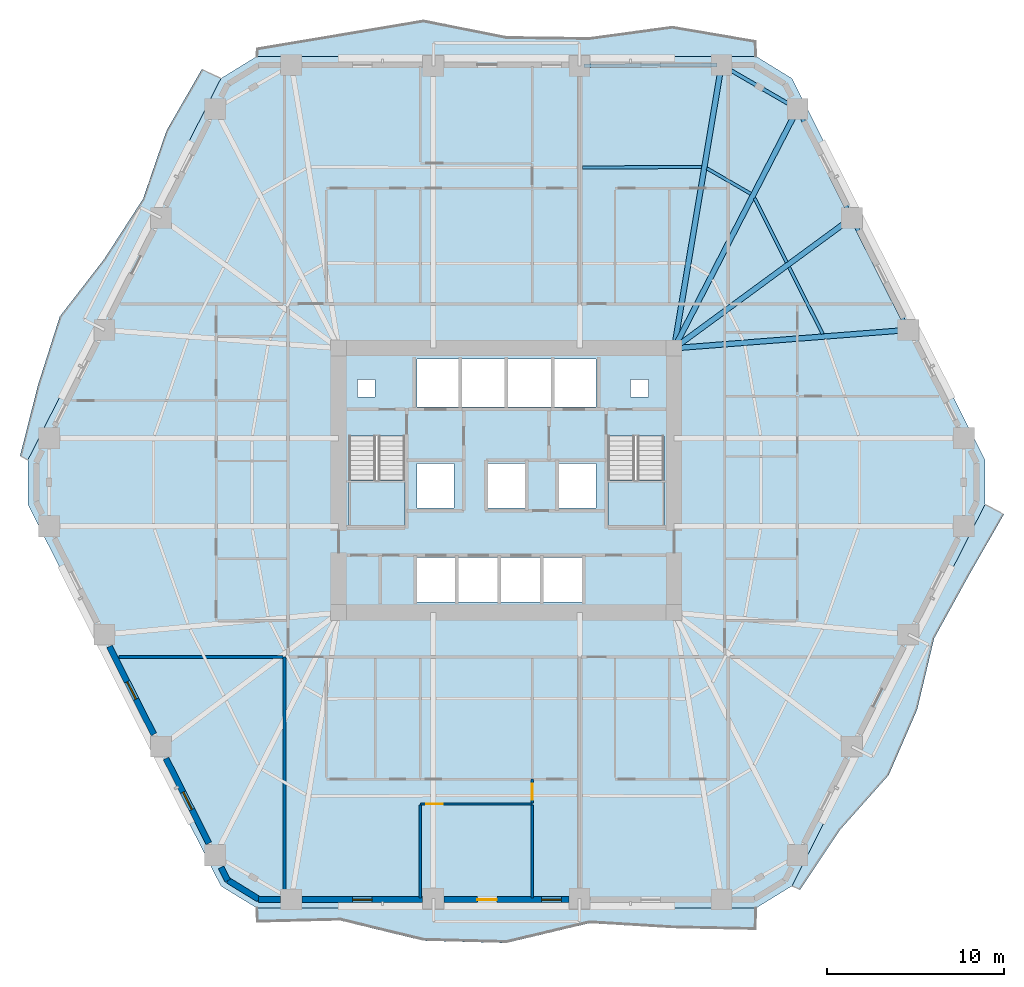
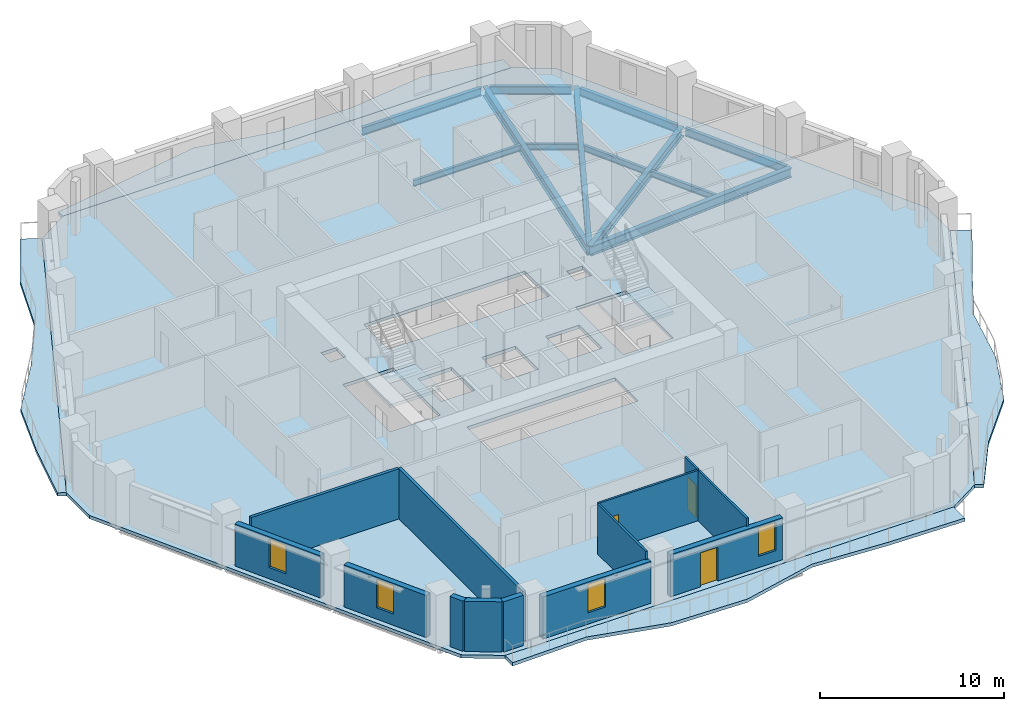
# One storey, part 3 of 14: 13 walls, 12 beams, 7 slabs, 4 windows, 3 doors, 7 openings, 2 elements without a shape of their own.
"""IFC4 building model written with IfcOpenShell, lengths in metres."""

from ifc_helpers import new_model, si_unit, direction, frame, frame_2d, origin, origin_2d, place, context, subcontext, project, spatial, polyline, rectangle, i_section, outline, extrude, material, layer, layer_set, material_profile, profile_set, type_object, element, fill, aggregate, save


model = new_model("IFC4")

# Units and contexts
model_context = context("Model", 3, precision=1e-05, world=origin(), true_north=direction((0.0, 1.0)))
body_context = subcontext(model_context, "Body", "Model", "MODEL_VIEW")
ifc_project = project(units=[si_unit("LENGTHUNIT", "METRE"), si_unit("AREAUNIT", "SQUARE_METRE"), si_unit("VOLUMEUNIT", "CUBIC_METRE"), si_unit("PLANEANGLEUNIT", "RADIAN"), si_unit("MASSUNIT", "GRAM", prefix="KILO")], contexts=[model_context])

# Site, building, storey
site_placement = place(None, origin())
site = spatial("IfcSite", under=ifc_project, at=site_placement, CompositionType="ELEMENT")
building_placement = place(site_placement, origin())
building = spatial("IfcBuilding", under=site, at=building_placement, Name="Cinnabar Lancet Tower", CompositionType="ELEMENT")
storey_placement = place(building_placement, frame((0.0, 0.0, 53.300048828125)))
storey = spatial("IfcBuildingStorey", under=building, at=storey_placement, Name="L13", CompositionType="ELEMENT", Elevation=53.300048828125)

# Beams
ifc_material_1 = material(Name="Structural steel S355", Category="steel")
ifc_material_profile_1 = material_profile(ifc_material_1, i_section(OverallWidth=0.177978515625, OverallDepth=0.406494140625, WebThickness=0.0078125, FlangeThickness=0.0126953125, FilletRadius=0.01025390625, at=origin_2d()), Name="UKB 406x178x60")
ifc_profile_set_1 = profile_set([ifc_material_profile_1], Name="Structural steel S355")
beam_type_1 = type_object("IfcBeamType", Name="STR-BM-JST-406", PredefinedType="JOIST", material=ifc_profile_set_1)
beam_1_placement = place(storey_placement, frame((50.220947265625, 34.156982421875, -0.423095703125), z_axis=(-0.450834254961, 0.89260768233, 0.0), x_axis=(-0.89260768233, -0.450834254961, 0.0)))
element("IfcBeam", 1, at=beam_1_placement, inside=storey, type_object=beam_type_1, Name="L13 Secondary Floor Joist 27", PredefinedType="JOIST", context=body_context, shape_type="SweptSolid", body=[
    extrude(i_section(OverallWidth=0.177978515625, OverallDepth=0.406494140625, WebThickness=0.0078125, FlangeThickness=0.0126953125, FilletRadius=0.01025390625, at=origin_2d()), origin(), (0.0, 0.0, 1.0), 4.203369140625),
])
beam_2_placement = place(storey_placement, frame((48.18603515625, 38.18798828125, -0.423095703125), z_axis=(-0.445738672706, 0.895163133543, 0.0), x_axis=(-0.895163133543, -0.445738672706, 0.0)))
element("IfcBeam", 2, at=beam_2_placement, inside=storey, type_object=beam_type_1, Name="L13 Secondary Floor Joist 29", PredefinedType="JOIST", context=body_context, shape_type="SweptSolid", body=[
    extrude(i_section(OverallWidth=0.177978515625, OverallDepth=0.406494140625, WebThickness=0.0078125, FlangeThickness=0.0126953125, FilletRadius=0.01025390625, at=origin_2d()), origin(), (0.0, 0.0, 1.0), 4.04052734375),
])
beam_3_placement = place(storey_placement, frame((46.1669921875, 42.052001953125, -0.423095703125), z_axis=(-0.865113631149, 0.50157592167, 0.0), x_axis=(-0.50157592167, -0.865113631149, 0.0)))
element("IfcBeam", 3, at=beam_3_placement, inside=storey, type_object=beam_type_1, Name="L13 Secondary Floor Joist 31", PredefinedType="JOIST", context=body_context, shape_type="SweptSolid", body=[
    extrude(i_section(OverallWidth=0.177978515625, OverallDepth=0.406494140625, WebThickness=0.0078125, FlangeThickness=0.0126953125, FilletRadius=0.01025390625, at=origin_2d()), origin(), (0.0, 0.0, 1.0), 2.852783203125),
])
beam_4_placement = place(storey_placement, frame((43.40087890625, 43.56396484375, -0.423095703125), z_axis=(-0.999988691118, -0.004755800274, 0.0), x_axis=(0.004755800274, -0.999988691118, 0.0)))
element("IfcBeam", 4, at=beam_4_placement, inside=storey, type_object=beam_type_1, Name="L13 Secondary Floor Joist 33", PredefinedType="JOIST", context=body_context, shape_type="SweptSolid", body=[
    extrude(i_section(OverallWidth=0.177978515625, OverallDepth=0.406494140625, WebThickness=0.0078125, FlangeThickness=0.0126953125, FilletRadius=0.01025390625, at=origin_2d()), origin(), (0.0, 0.0, 1.0), 6.724853515625),
])
ifc_material_2 = material(Name="Structural steel S355", Category="steel")
ifc_material_profile_2 = material_profile(ifc_material_2, i_section(OverallWidth=0.209228515625, OverallDepth=0.533203125, WebThickness=0.010009765625, FlangeThickness=0.015625, FilletRadius=0.0126953125, at=origin_2d()), Name="UKB 533x210x92")
ifc_profile_set_2 = profile_set([ifc_material_profile_2], Name="Structural steel S355")
beam_type_2 = type_object("IfcBeamType", Name="STR-BM-SPN-533", PredefinedType="SPANDREL", material=ifc_profile_set_2)
beam_5_placement = place(storey_placement, frame((54.93310546875, 34.60302734375, -0.487060546875), z_axis=(-0.450703143926, 0.892673891214, 0.0), x_axis=(-0.892673891214, -0.450703143926, 0.0)))
element("IfcBeam", 5, at=beam_5_placement, inside=storey, type_object=beam_type_2, Name="L13 Perimeter Spandrel 10", PredefinedType="SPANDREL", context=body_context, shape_type="SweptSolid", body=[
    extrude(i_section(OverallWidth=0.209228515625, OverallDepth=0.533203125, WebThickness=0.010009765625, FlangeThickness=0.015625, FilletRadius=0.0126953125, at=origin_2d()), origin(), (0.0, 0.0, 1.0), 6.570068359375),
])
beam_6_placement = place(storey_placement, frame((51.748046875, 40.9150390625, -0.487060546875), z_axis=(-0.445953050023, 0.89505635419, 0.0), x_axis=(-0.89505635419, -0.445953050023, 0.0)))
element("IfcBeam", 6, at=beam_6_placement, inside=storey, type_object=beam_type_2, Name="L13 Perimeter Spandrel 11", PredefinedType="SPANDREL", context=body_context, shape_type="SweptSolid", body=[
    extrude(i_section(OverallWidth=0.209228515625, OverallDepth=0.533203125, WebThickness=0.010009765625, FlangeThickness=0.015625, FilletRadius=0.0126953125, at=origin_2d()), origin(), (0.0, 0.0, 1.0), 6.35498046875),
])
beam_7_placement = place(storey_placement, frame((48.5869140625, 46.951904296875, -0.487060546875), z_axis=(-0.865147238596, 0.501517951374, 0.0), x_axis=(-0.501517951374, -0.865147238596, 0.0)))
element("IfcBeam", 7, at=beam_7_placement, inside=storey, type_object=beam_type_2, Name="L13 Perimeter Spandrel 12", PredefinedType="SPANDREL", context=body_context, shape_type="SweptSolid", body=[
    extrude(i_section(OverallWidth=0.209228515625, OverallDepth=0.533203125, WebThickness=0.010009765625, FlangeThickness=0.015625, FilletRadius=0.0126953125, at=origin_2d()), origin(), (0.0, 0.0, 1.0), 4.454833984375),
])
beam_8_placement = place(storey_placement, frame((44.26708984375, 49.30908203125, -0.487060546875), z_axis=(-0.99997856757, -0.006547090947, 0.0), x_axis=(0.006547090947, -0.99997856757, 0.0)))
element("IfcBeam", 8, at=beam_8_placement, inside=storey, type_object=beam_type_2, Name="L13 Perimeter Spandrel 13", PredefinedType="SPANDREL", context=body_context, shape_type="SweptSolid", body=[
    extrude(i_section(OverallWidth=0.209228515625, OverallDepth=0.533203125, WebThickness=0.010009765625, FlangeThickness=0.015625, FilletRadius=0.0126953125, at=origin_2d()), origin(), (0.0, 0.0, 1.0), 7.495361328125),
])
ifc_material_3 = material(Name="Structural steel S355", Category="steel")
ifc_material_profile_3 = material_profile(ifc_material_3, i_section(OverallWidth=0.30712890625, OverallDepth=0.6201171875, WebThickness=0.01416015625, FlangeThickness=0.023681640625, FilletRadius=0.0166015625, at=origin_2d()), Name="UKB 610x305x179")
ifc_profile_set_3 = profile_set([ifc_material_profile_3], Name="Structural steel S355")
beam_type_3 = type_object("IfcBeamType", Name="STR-BM-UKB610-179", PredefinedType="BEAM", material=ifc_profile_set_3)
beam_9_placement = place(storey_placement, frame((51.85888671875, 40.69091796875, -0.530029296875), z_axis=(-0.80636497312, -0.591418236213, 0.0), x_axis=(0.591418236213, -0.80636497312, 0.0)))
element("IfcBeam", 9, at=beam_9_placement, inside=storey, type_object=beam_type_3, Name="L13 Corner Collector Girder 3", PredefinedType="BEAM", context=body_context, shape_type="SweptSolid", body=[
    extrude(i_section(OverallWidth=0.30712890625, OverallDepth=0.6201171875, WebThickness=0.01416015625, FlangeThickness=0.023681640625, FilletRadius=0.0166015625, at=origin_2d()), origin(), (0.0, 0.0, 1.0), 12.412353515625),
])
beam_10_placement = place(storey_placement, frame((55.0458984375, 34.3798828125, -0.530029296875), z_axis=(-0.99696880683, -0.077802302076, 0.0), x_axis=(0.077802302076, -0.99696880683, 0.0)))
element("IfcBeam", 10, at=beam_10_placement, inside=storey, type_object=beam_type_3, Name="L13 Primary Floor Girder 10", PredefinedType="BEAM", context=body_context, shape_type="SweptSolid", body=[
    extrude(i_section(OverallWidth=0.30712890625, OverallDepth=0.6201171875, WebThickness=0.01416015625, FlangeThickness=0.023681640625, FilletRadius=0.0166015625, at=origin_2d()), origin(), (0.0, 0.0, 1.0), 13.23583984375),
])
beam_11_placement = place(storey_placement, frame((48.802978515625, 46.826904296875, -0.530029296875), z_axis=(-0.458492410387, -0.888698323177, 0.0), x_axis=(0.888698323177, -0.458492410387, 0.0)))
element("IfcBeam", 11, at=beam_11_placement, inside=storey, type_object=beam_type_3, Name="L13 Primary Floor Girder 12", PredefinedType="BEAM", context=body_context, shape_type="SweptSolid", body=[
    extrude(i_section(OverallWidth=0.30712890625, OverallDepth=0.6201171875, WebThickness=0.01416015625, FlangeThickness=0.023681640625, FilletRadius=0.0166015625, at=origin_2d()), origin(), (0.0, 0.0, 1.0), 15.16455078125),
])
beam_12_placement = place(storey_placement, frame((44.51708984375, 49.31103515625, -0.530029296875), z_axis=(-0.164809990854, -0.986325335229, 0.0), x_axis=(0.986325335229, -0.164809990854, 0.0)))
element("IfcBeam", 12, at=beam_12_placement, inside=storey, type_object=beam_type_3, Name="L13 Primary Floor Girder 13", PredefinedType="BEAM", context=body_context, shape_type="SweptSolid", body=[
    extrude(i_section(OverallWidth=0.30712890625, OverallDepth=0.6201171875, WebThickness=0.01416015625, FlangeThickness=0.023681640625, FilletRadius=0.0166015625, at=origin_2d()), origin(), (0.0, 0.0, 1.0), 16.18212890625),
])

# Stair, slab
ifc_material_4 = material(Name="Concrete C40/50", Category="concrete")
stair_type = type_object("IfcStairType", Name="ST-CORE", PredefinedType="HALF_TURN_STAIR", material=ifc_material_4)
stair_1_placement = place(storey_placement, origin())
stair_1 = element("IfcStair", 13, at=stair_1_placement, inside=storey, type_object=stair_type, Name="L13 ST-1", PredefinedType="HALF_TURN_STAIR")
ifc_material_5 = material(Name="Concrete C40/50", Category="concrete")
ifc_layer_1 = layer(ifc_material_5, 0.199951171875)
ifc_layer_set_1 = layer_set([ifc_layer_1], Name="Concrete C40/50")
slab_type_1 = type_object("IfcSlabType", Name="LANDING-CORE", PredefinedType="LANDING", material=ifc_layer_set_1)
slab_1_placement = place(storey_placement, frame((0.0, 0.0, 1.574951171875)))
slab_1 = element("IfcSlab", 14, at=slab_1_placement, type_object=slab_type_1, Name="ST-1 landing 1", PredefinedType="LANDING", context=body_context, shape_type="SweptSolid", body=[
    extrude(outline(polyline([(23.52490234375, 25.925048828125), (23.52490234375, 23.25), (26.675048828125, 23.25), (26.675048828125, 25.925048828125), (23.52490234375, 25.925048828125)])), origin(), (0.0, 0.0, 1.0), 0.199951171875),
])
aggregate(stair_1, [slab_1])

stair_2_placement = place(storey_placement, origin())
stair_2 = element("IfcStair", 15, at=stair_2_placement, inside=storey, type_object=stair_type, Name="L13 ST-2", PredefinedType="HALF_TURN_STAIR")
slab_2_placement = place(storey_placement, frame((0.0, 0.0, 1.574951171875)))
slab_2 = element("IfcSlab", 16, at=slab_2_placement, type_object=slab_type_1, Name="ST-2 landing 1", PredefinedType="LANDING", context=body_context, shape_type="SweptSolid", body=[
    extrude(outline(polyline([(38.125, 25.925048828125), (38.125, 23.25), (41.27490234375, 23.25), (41.27490234375, 25.925048828125), (38.125, 25.925048828125)])), origin(), (0.0, 0.0, 1.0), 0.199951171875),
])
aggregate(stair_2, [slab_2])

# Slabs
ifc_material_6 = material(Name="Concrete C40/50", Category="concrete")
ifc_layer_2 = layer(ifc_material_6, 0.219970703125)
ifc_layer_set_2 = layer_set([ifc_layer_2], Name="Concrete C40/50")
slab_type_2 = type_object("IfcSlabType", Name="STR-SLB-FLR-220", PredefinedType="FLOOR", material=ifc_layer_set_2)
slab_3_placement = place(storey_placement, frame((0.0, 0.0, -0.219970703125)))
element("IfcSlab", 17, at=slab_3_placement, inside=storey, type_object=slab_type_2, Name="L13 Structural Floor Slab", PredefinedType="FLOOR", context=body_context, shape_type="SweptSolid", body=[
    extrude(outline(polyline([(16.31201171875, 3.049072265625), (18.343994140625, 1.800048828125), (46.4560546875, 1.800048828125), (48.488037109375, 3.049072265625), (59.367919921875, 24.551025390625), (59.367919921875, 27.049072265625), (48.488037109375, 48.551025390625), (46.4560546875, 49.800048828125), (18.343994140625, 49.800048828125), (16.31201171875, 48.551025390625), (5.431884765625, 27.049072265625), (5.431884765625, 24.551025390625), (16.31201171875, 3.049072265625)]), holes=[polyline([(23.52490234375, 23.25), (26.675048828125, 23.25), (26.675048828125, 28.3994140625), (23.52490234375, 28.3994140625), (23.52490234375, 23.25)]), polyline([(38.125, 23.25), (41.27490234375, 23.25), (41.27490234375, 28.3994140625), (38.125, 28.3994140625), (38.125, 23.25)]), polyline([(27.35009765625, 30.050048828125), (37.449951171875, 30.050048828125), (37.449951171875, 32.75), (27.35009765625, 32.75), (27.35009765625, 30.050048828125)]), polyline([(27.35009765625, 19.050048828125), (36.64990234375, 19.050048828125), (36.64990234375, 21.550048828125), (27.35009765625, 21.550048828125), (27.35009765625, 19.050048828125)]), polyline([(27.35009765625, 24.35009765625), (29.449951171875, 24.35009765625), (29.449951171875, 26.85009765625), (27.35009765625, 26.85009765625), (27.35009765625, 24.35009765625)]), polyline([(35.35009765625, 24.35009765625), (37.449951171875, 24.35009765625), (37.449951171875, 26.85009765625), (35.35009765625, 26.85009765625), (35.35009765625, 24.35009765625)]), polyline([(31.35009765625, 24.35009765625), (33.449951171875, 24.35009765625), (33.449951171875, 26.85009765625), (31.35009765625, 26.85009765625), (31.35009765625, 24.35009765625)]), polyline([(24.0, 30.60009765625), (25.0, 30.60009765625), (25.0, 31.60009765625), (24.0, 31.60009765625), (24.0, 30.60009765625)]), polyline([(39.39990234375, 30.60009765625), (40.39990234375, 30.60009765625), (40.39990234375, 31.60009765625), (39.39990234375, 31.60009765625), (39.39990234375, 30.60009765625)])]), origin(), (0.0, 0.0, 1.0), 0.219970703125),
])
ifc_material_7 = material(Name="Concrete C45/55", Category="concrete")
ifc_layer_3 = layer(ifc_material_7, 0.219970703125)
ifc_layer_set_3 = layer_set([ifc_layer_3], Name="Concrete C45/55")
slab_type_3 = type_object("IfcSlabType", Name="STR-SLB-WAV-220", PredefinedType="FLOOR", material=ifc_layer_set_3)
slab_4_placement = place(storey_placement, frame((0.0, 0.0, -0.219970703125)))
element("IfcSlab", 18, at=slab_4_placement, inside=storey, type_object=slab_type_3, Name="L13 Face 1 Undulating Wave Balcony Slab", PredefinedType="FLOOR", context=body_context, shape_type="SweptSolid", body=[
    extrude(outline(polyline([(18.343994140625, 1.800048828125), (18.343994140625, 0.992919921875), (23.029052734375, 1.10400390625), (27.715087890625, -0.033935546875), (32.39990234375, -0.159912109375), (37.0849609375, 0.952880859375), (41.77099609375, 0.672119140625), (46.4560546875, 0.5791015625), (46.4560546875, 1.800048828125), (18.343994140625, 1.800048828125)])), origin(), (0.0, 0.0, 1.0), 0.219970703125),
])
slab_5_placement = place(storey_placement, frame((0.0, 0.0, -0.219970703125)))
element("IfcSlab", 19, at=slab_5_placement, inside=storey, type_object=slab_type_3, Name="L13 Face 2 Undulating Wave Balcony Slab", PredefinedType="FLOOR", context=body_context, shape_type="SweptSolid", body=[
    extrude(outline(polyline([(48.488037109375, 3.049072265625), (48.93408203125, 2.822998046875), (51.174072265625, 6.19091796875), (53.93505859375, 9.294921875), (55.5400390625, 12.98388671875), (56.498046875, 17.0009765625), (58.43896484375, 20.52001953125), (60.43701171875, 24.010009765625), (59.367919921875, 24.551025390625), (48.488037109375, 3.049072265625)])), origin(), (0.0, 0.0, 1.0), 0.219970703125),
])
slab_6_placement = place(storey_placement, frame((0.0, 0.0, -0.219970703125)))
element("IfcSlab", 20, at=slab_6_placement, inside=storey, type_object=slab_type_3, Name="L13 Face 4 Undulating Wave Balcony Slab", PredefinedType="FLOOR", context=body_context, shape_type="SweptSolid", body=[
    extrude(outline(polyline([(46.4560546875, 49.800048828125), (46.4560546875, 50.68603515625), (41.77099609375, 51.489013671875), (37.0849609375, 50.85791015625), (32.39990234375, 50.9169921875), (27.715087890625, 51.844970703125), (23.029052734375, 51.056884765625), (18.343994140625, 50.27197265625), (18.343994140625, 49.800048828125), (46.4560546875, 49.800048828125)])), origin(), (0.0, 0.0, 1.0), 0.219970703125),
])
slab_7_placement = place(storey_placement, frame((0.0, 0.0, -0.219970703125)))
element("IfcSlab", 21, at=slab_7_placement, inside=storey, type_object=slab_type_3, Name="L13 Face 5 Undulating Wave Balcony Slab", PredefinedType="FLOOR", context=body_context, shape_type="SweptSolid", body=[
    extrude(outline(polyline([(16.31201171875, 48.551025390625), (15.248046875, 49.089111328125), (13.243896484375, 45.60205078125), (11.926025390625, 41.76806640625), (9.738037109375, 38.3740234375), (7.235107421875, 35.138916015625), (6.001953125, 31.261962890625), (4.990966796875, 27.27197265625), (5.431884765625, 27.049072265625), (16.31201171875, 48.551025390625)])), origin(), (0.0, 0.0, 1.0), 0.219970703125),
])

# Walls
ifc_material_8 = material(Name="Fire-rated twin-frame acoustic drywall", Category="gypsum")
ifc_layer_4 = layer(ifc_material_8, 0.179931640625)
ifc_layer_set_4 = layer_set([ifc_layer_4], Name="Fire-rated twin-frame acoustic drywall")
wall_type_1 = type_object("IfcWallType", Name="ARC-WL-PARTY-180", PredefinedType="PARTITIONING", material=ifc_layer_set_4)
wall_1_placement = place(storey_placement, frame((19.89990234375, 2.455078125, 0.0), z_axis=(0.0, 0.0, 1.0), x_axis=(0.0, 1.0, 0.0)))
element("IfcWall", 22, at=wall_1_placement, inside=storey, type_object=wall_type_1, Name="PW-L13-SPTY-199", PredefinedType="PARTITIONING", context=body_context, shape_type="SweptSolid", body=[
    extrude(rectangle(XDim=13.494873046875, YDim=0.179931640625, at=frame_2d((6.74755859375, 0.0))), origin(), (0.0, 0.0, 1.0), 3.329833984375),
])
wall_2_placement = place(storey_placement, frame((10.56396484375, 15.949951171875, 0.0), z_axis=(0.0, 0.0, 1.0), x_axis=(1.0, 0.0, 0.0)))
element("IfcWall", 23, at=wall_2_placement, inside=storey, type_object=wall_type_1, Name="PW-L13-WSB", PredefinedType="PARTITIONING", context=body_context, shape_type="SweptSolid", body=[
    extrude(rectangle(XDim=9.240966796875, YDim=0.179931640625, at=frame_2d((4.62060546875, 0.0))), origin(), (0.0, 0.0, 1.0), 3.329833984375),
])
ifc_material_9 = material(Name="Gypsum plasterboard stud partition", Category="gypsum")
ifc_layer_5 = layer(ifc_material_9, 0.125)
ifc_layer_set_5 = layer_set([ifc_layer_5], Name="Gypsum plasterboard stud partition")
wall_type_2 = type_object("IfcWallType", Name="ARC-WL-UNIT-125", PredefinedType="PARTITIONING", material=ifc_layer_set_5)
wall_3_placement = place(storey_placement, frame((27.5458984375, 2.364990234375, 0.0), z_axis=(0.0, 0.0, 1.0), x_axis=(0.0, 1.0, 0.0)))
element("IfcWall", 24, at=wall_3_placement, inside=storey, type_object=wall_type_2, Name="UW-L13-S01-BD2W", PredefinedType="PARTITIONING", context=body_context, shape_type="SweptSolid", body=[
    extrude(rectangle(XDim=5.238037109375, YDim=0.125, at=frame_2d((2.619140625, 0.0))), origin(), (0.0, 0.0, 1.0), 3.329833984375),
])

# Wall, opening, door
wall_4_placement = place(storey_placement, frame((27.5458984375, 7.66796875, 0.0), z_axis=(0.0, 0.0, 1.0), x_axis=(1.0, 0.0, 0.0)))
wall_4 = element("IfcWall", 25, at=wall_4_placement, inside=storey, type_object=wall_type_2, Name="UW-L13-S01-HLN", PredefinedType="PARTITIONING", context=body_context, shape_type="SweptSolid", body=[
    extrude(rectangle(XDim=6.30419921875, YDim=0.125, at=frame_2d((3.152099609375, 0.0))), origin(), (0.0, 0.0, 1.0), 3.329833984375),
])
opening_1_placement = place(wall_4_placement, frame((0.35009765625, 0.0, 0.0)))
opening_1 = element("IfcOpeningElement", 26, at=opening_1_placement, cuts=wall_4, Name="Opening RD-01", PredefinedType="OPENING", context=body_context, shape_type="SweptSolid", body=[
    extrude(rectangle(XDim=0.919921875, YDim=2.14990234375, at=frame_2d((0.4599609375, 1.074951171875))), frame((0.0, 0.072509765625, 0.0), z_axis=(0.0, -1.0, 0.0), x_axis=(1.0, 0.0, 0.0)), (0.0, 0.0, 1.0), 0.14501953125),
])
ifc_material_10 = material(Name="Engineered timber bedroom door", Category="wood")
door_type_1 = type_object("IfcDoorType", Name="ARC-DR-ROOM", OperationType="NOTDEFINED", PredefinedType="DOOR", material=ifc_material_10)
door_1_placement = place(opening_1_placement, origin())
door_1 = element("IfcDoor", 27, at=door_1_placement, inside=storey, type_object=door_type_1, Name="DR-L13-S01-BD2", OperationType="SINGLE_SWING_RIGHT", OverallHeight=2.14990234375, OverallWidth=0.919921875, PredefinedType="DOOR", context=body_context, shape_type="SweptSolid", body=[
    extrude(rectangle(XDim=0.919921875, YDim=2.14990234375, at=frame_2d((0.4599609375, 1.074951171875))), frame((0.0, 0.02490234375, 0.0), z_axis=(0.0, -1.0, 0.0), x_axis=(1.0, 0.0, 0.0)), (0.0, 0.0, 1.0), 0.050048828125),
])
fill(opening_1, door_1)

wall_5_placement = place(storey_placement, frame((33.85009765625, 7.738037109375, 0.0), z_axis=(0.0, 0.0, 1.0), x_axis=(0.0, 1.0, 0.0)))
wall_5 = element("IfcWall", 28, at=wall_5_placement, inside=storey, type_object=wall_type_2, Name="UW-L13-S01-MBE", PredefinedType="PARTITIONING", context=body_context, shape_type="SweptSolid", body=[
    extrude(rectangle(XDim=1.330078125, YDim=0.125, at=frame_2d((0.6650390625, 0.0))), origin(), (0.0, 0.0, 1.0), 3.329833984375),
])
opening_2_placement = place(wall_5_placement, frame((0.159912109375, 0.0, 0.0)))
opening_2 = element("IfcOpeningElement", 29, at=opening_2_placement, cuts=wall_5, Name="Opening RD-01", PredefinedType="OPENING", context=body_context, shape_type="SweptSolid", body=[
    extrude(rectangle(XDim=0.919921875, YDim=2.14990234375, at=frame_2d((0.4599609375, 1.074951171875))), frame((0.0, 0.072509765625, 0.0), z_axis=(0.0, -1.0, 0.0), x_axis=(1.0, 0.0, 0.0)), (0.0, 0.0, 1.0), 0.14501953125),
])
door_2_placement = place(opening_2_placement, origin())
door_2 = element("IfcDoor", 30, at=door_2_placement, inside=storey, type_object=door_type_1, Name="DR-L13-S01-MBD", OperationType="SINGLE_SWING_RIGHT", OverallHeight=2.14990234375, OverallWidth=0.919921875, PredefinedType="DOOR", context=body_context, shape_type="SweptSolid", body=[
    extrude(rectangle(XDim=0.919921875, YDim=2.14990234375, at=frame_2d((0.4599609375, 1.074951171875))), frame((0.0, 0.02490234375, 0.0), z_axis=(0.0, -1.0, 0.0), x_axis=(1.0, 0.0, 0.0)), (0.0, 0.0, 1.0), 0.050048828125),
])
fill(opening_2, door_2)

# Walls
wall_6_placement = place(storey_placement, frame((33.85009765625, 2.364990234375, 0.0), z_axis=(0.0, 0.0, 1.0), x_axis=(0.0, 1.0, 0.0)))
element("IfcWall", 31, at=wall_6_placement, inside=storey, type_object=wall_type_2, Name="UW-L13-S01-MB2W", PredefinedType="PARTITIONING", context=body_context, shape_type="SweptSolid", body=[
    extrude(rectangle(XDim=5.238037109375, YDim=0.125, at=frame_2d((2.619140625, 0.0))), origin(), (0.0, 0.0, 1.0), 3.329833984375),
])
ifc_material_11 = material(Name="Cinnabar red clay brick", Category="masonry")
ifc_layer_6 = layer(ifc_material_11, 0.340087890625)
ifc_layer_set_6 = layer_set([ifc_layer_6], Name="Cinnabar red clay brick")
wall_type_3 = type_object("IfcWallType", Name="ENV-WL-BRK-RED-340", PredefinedType="STANDARD", material=ifc_layer_set_6)
wall_7_placement = place(storey_placement, frame((16.719970703125, 3.362060546875, 0.0), z_axis=(0.0, 0.0, 1.0), x_axis=(0.851816122478, -0.523840904748, 0.0)))
element("IfcWall", 32, at=wall_7_placement, inside=storey, type_object=wall_type_3, Name="L13 Chamfered Corner Brick Pier 1.1", PredefinedType="STANDARD", context=body_context, shape_type="SweptSolid", body=[
    extrude(rectangle(XDim=2.01806640625, YDim=0.340087890625, at=frame_2d((1.009033203125, 0.0))), origin(), (0.0, 0.0, 1.0), 3.329833984375),
])
wall_8_placement = place(storey_placement, frame((18.43408203125, 2.280029296875, 0.0), z_axis=(0.0, 0.0, 1.0), x_axis=(1.0, 0.0, 0.0)))
element("IfcWall", 33, at=wall_8_placement, inside=storey, type_object=wall_type_3, Name="L13 Face 1 Masonry Bay Wall 1", PredefinedType="STANDARD", context=body_context, shape_type="SweptSolid", body=[
    extrude(rectangle(XDim=1.244873046875, YDim=0.340087890625, at=frame_2d((0.62255859375, 0.0))), origin(), (0.0, 0.0, 1.0), 3.329833984375),
])

# Wall, opening, window
wall_9_placement = place(storey_placement, frame((20.886962890625, 2.280029296875, 0.0), z_axis=(0.0, 0.0, 1.0), x_axis=(1.0, 0.0, 0.0)))
wall_9 = element("IfcWall", 34, at=wall_9_placement, inside=storey, type_object=wall_type_3, Name="L13 Face 1 Masonry Bay Wall 2", PredefinedType="STANDARD", context=body_context, shape_type="SweptSolid", body=[
    extrude(rectangle(XDim=6.787109375, YDim=0.340087890625, at=frame_2d((3.3935546875, 0.0))), origin(), (0.0, 0.0, 1.0), 2.786865234375),
])
opening_3_placement = place(wall_9_placement, frame((2.843017578125, 0.0, 0.75)))
opening_3 = element("IfcOpeningElement", 35, at=opening_3_placement, cuts=wall_9, Name="Opening WN-04", PredefinedType="OPENING", context=body_context, shape_type="SweptSolid", body=[
    extrude(rectangle(XDim=1.10009765625, YDim=1.886962890625, at=frame_2d((0.550048828125, 0.943359375))), frame((0.0, 0.179931640625, 0.0), z_axis=(0.0, -1.0, 0.0), x_axis=(1.0, 0.0, 0.0)), (0.0, 0.0, 1.0), 0.360107421875),
])
ifc_material_12 = material(Name="Thermally broken bronze-anodized aluminium tall lancet window", Category="aluminium")
window_type = type_object("IfcWindowType", Name="ENV-WN-LANCET-1100", PartitioningType="SINGLE_PANEL", PredefinedType="WINDOW", material=ifc_material_12)
window_1_placement = place(opening_3_placement, origin())
window_1 = element("IfcWindow", 36, at=window_1_placement, inside=storey, type_object=window_type, Name="L13 Face 1 Gothic Lancet Window 2", OverallHeight=1.886962890625, OverallWidth=1.10009765625, PartitioningType="SINGLE_PANEL", PredefinedType="WINDOW", context=body_context, shape_type="SweptSolid", body=[
    extrude(rectangle(XDim=1.10009765625, YDim=1.886962890625, at=frame_2d((0.550048828125, 0.943359375))), frame((0.0, 0.030029296875, 0.0), z_axis=(0.0, -1.0, 0.0), x_axis=(1.0, 0.0, 0.0)), (0.0, 0.0, 1.0), 0.06005859375),
])
fill(opening_3, window_1)

# Wall, openings, door, window
wall_10_placement = place(storey_placement, frame((28.882080078125, 2.280029296875, 0.0), z_axis=(0.0, 0.0, 1.0), x_axis=(1.0, 0.0, 0.0)))
wall_10 = element("IfcWall", 37, at=wall_10_placement, inside=storey, type_object=wall_type_3, Name="L13 Face 1 Masonry Bay Wall 3", PredefinedType="STANDARD", context=body_context, shape_type="SweptSolid", body=[
    extrude(rectangle(XDim=7.035888671875, YDim=0.340087890625, at=frame_2d((3.51806640625, 0.0))), origin(), (0.0, 0.0, 1.0), 2.786865234375),
])
opening_4_placement = place(wall_10_placement, frame((1.883056640625, 0.0, 0.0)))
opening_4 = element("IfcOpeningElement", 38, at=opening_4_placement, cuts=wall_10, Name="Opening TD-01", PredefinedType="OPENING", context=body_context, shape_type="SweptSolid", body=[
    extrude(rectangle(XDim=1.10009765625, YDim=2.25, at=frame_2d((0.550048828125, 1.125))), frame((0.0, 0.179931640625, 0.0), z_axis=(0.0, -1.0, 0.0), x_axis=(1.0, 0.0, 0.0)), (0.0, 0.0, 1.0), 0.360107421875),
])
opening_5_placement = place(wall_10_placement, frame((5.508056640625, 0.0, 0.75)))
opening_5 = element("IfcOpeningElement", 39, at=opening_5_placement, cuts=wall_10, Name="Opening WN-04", PredefinedType="OPENING", context=body_context, shape_type="SweptSolid", body=[
    extrude(rectangle(XDim=1.10009765625, YDim=1.886962890625, at=frame_2d((0.550048828125, 0.943359375))), frame((0.0, 0.179931640625, 0.0), z_axis=(0.0, -1.0, 0.0), x_axis=(1.0, 0.0, 0.0)), (0.0, 0.0, 1.0), 0.360107421875),
])
ifc_material_13 = material(Name="Thermally broken low-E glazed balcony terrace door", Category="wood")
door_type_2 = type_object("IfcDoorType", Name="ARC-DR-BALC", OperationType="NOTDEFINED", PredefinedType="DOOR", material=ifc_material_13)
door_3_placement = place(opening_4_placement, origin())
door_3 = element("IfcDoor", 40, at=door_3_placement, inside=storey, type_object=door_type_2, Name="L13 Face 1 Glazed Terrace Door", OperationType="SINGLE_SWING_LEFT", OverallHeight=2.25, OverallWidth=1.10009765625, PredefinedType="DOOR", context=body_context, shape_type="SweptSolid", body=[
    extrude(rectangle(XDim=1.10009765625, YDim=2.25, at=frame_2d((0.550048828125, 1.125))), frame((0.0, 0.02490234375, 0.0), z_axis=(0.0, -1.0, 0.0), x_axis=(1.0, 0.0, 0.0)), (0.0, 0.0, 1.0), 0.050048828125),
])
fill(opening_4, door_3)
window_2_placement = place(opening_5_placement, origin())
window_2 = element("IfcWindow", 41, at=window_2_placement, inside=storey, type_object=window_type, Name="L13 Split-Bay Gothic Lancet Window 28", OverallHeight=1.886962890625, OverallWidth=1.10009765625, PartitioningType="SINGLE_PANEL", PredefinedType="WINDOW", context=body_context, shape_type="SweptSolid", body=[
    extrude(rectangle(XDim=1.10009765625, YDim=1.886962890625, at=frame_2d((0.550048828125, 0.943359375))), frame((0.0, 0.030029296875, 0.0), z_axis=(0.0, -1.0, 0.0), x_axis=(1.0, 0.0, 0.0)), (0.0, 0.0, 1.0), 0.06005859375),
])
fill(opening_5, window_2)

# Wall, opening, window
wall_11_placement = place(storey_placement, frame((10.02392578125, 16.5390625, 0.0), z_axis=(0.0, 0.0, 1.0), x_axis=(0.451627137896, -0.892206774417, 0.0)))
wall_11 = element("IfcWall", 42, at=wall_11_placement, inside=storey, type_object=wall_type_3, Name="L13 Face 6 Masonry Bay Wall 3", PredefinedType="STANDARD", context=body_context, shape_type="SweptSolid", body=[
    extrude(rectangle(XDim=5.546875, YDim=0.340087890625, at=frame_2d((2.7734375, 0.0))), origin(), (0.0, 0.0, 1.0), 2.786865234375),
])
opening_6_placement = place(wall_11_placement, frame((2.222900390625, 0.0, 0.75)))
opening_6 = element("IfcOpeningElement", 43, at=opening_6_placement, cuts=wall_11, Name="Opening WN-04", PredefinedType="OPENING", context=body_context, shape_type="SweptSolid", body=[
    extrude(rectangle(XDim=1.10009765625, YDim=1.886962890625, at=frame_2d((0.550048828125, 0.943359375))), frame((0.0, 0.179931640625, 0.0), z_axis=(0.0, -1.0, 0.0), x_axis=(1.0, 0.0, 0.0)), (0.0, 0.0, 1.0), 0.360107421875),
])
window_3_placement = place(opening_6_placement, origin())
window_3 = element("IfcWindow", 44, at=window_3_placement, inside=storey, type_object=window_type, Name="L13 Face 6 Gothic Lancet Window 3", OverallHeight=1.886962890625, OverallWidth=1.10009765625, PartitioningType="SINGLE_PANEL", PredefinedType="WINDOW", context=body_context, shape_type="SweptSolid", body=[
    extrude(rectangle(XDim=1.10009765625, YDim=1.886962890625, at=frame_2d((0.550048828125, 0.943359375))), frame((0.0, 0.030029296875, 0.0), z_axis=(0.0, -1.0, 0.0), x_axis=(1.0, 0.0, 0.0)), (0.0, 0.0, 1.0), 0.06005859375),
])
fill(opening_6, window_3)

wall_12_placement = place(storey_placement, frame((13.217041015625, 10.22802734375, 0.0), z_axis=(0.0, 0.0, 1.0), x_axis=(0.451697561555, -0.892171123095, 0.0)))
wall_12 = element("IfcWall", 45, at=wall_12_placement, inside=storey, type_object=wall_type_3, Name="L13 Face 6 Masonry Bay Wall 4", PredefinedType="STANDARD", context=body_context, shape_type="SweptSolid", body=[
    extrude(rectangle(XDim=5.350830078125, YDim=0.340087890625, at=frame_2d((2.67529296875, 0.0))), origin(), (0.0, 0.0, 1.0), 2.786865234375),
])
opening_7_placement = place(wall_12_placement, frame((2.125, 0.0, 0.75)))
opening_7 = element("IfcOpeningElement", 46, at=opening_7_placement, cuts=wall_12, Name="Opening WN-04", PredefinedType="OPENING", context=body_context, shape_type="SweptSolid", body=[
    extrude(rectangle(XDim=1.10009765625, YDim=1.886962890625, at=frame_2d((0.550048828125, 0.943359375))), frame((0.0, 0.179931640625, 0.0), z_axis=(0.0, -1.0, 0.0), x_axis=(1.0, 0.0, 0.0)), (0.0, 0.0, 1.0), 0.360107421875),
])
window_4_placement = place(opening_7_placement, origin())
window_4 = element("IfcWindow", 47, at=window_4_placement, inside=storey, type_object=window_type, Name="L13 Face 6 Gothic Lancet Window 4", OverallHeight=1.886962890625, OverallWidth=1.10009765625, PartitioningType="SINGLE_PANEL", PredefinedType="WINDOW", context=body_context, shape_type="SweptSolid", body=[
    extrude(rectangle(XDim=1.10009765625, YDim=1.886962890625, at=frame_2d((0.550048828125, 0.943359375))), frame((0.0, 0.030029296875, 0.0), z_axis=(0.0, -1.0, 0.0), x_axis=(1.0, 0.0, 0.0)), (0.0, 0.0, 1.0), 0.06005859375),
])
fill(opening_7, window_4)

# Wall
wall_13_placement = place(storey_placement, frame((16.322021484375, 4.092041015625, 0.0), z_axis=(0.0, 0.0, 1.0), x_axis=(0.45187807258, -0.892079709175, 0.0)))
element("IfcWall", 48, at=wall_13_placement, inside=storey, type_object=wall_type_3, Name="L13 Face 6 Masonry Bay Wall 5", PredefinedType="STANDARD", context=body_context, shape_type="SweptSolid", body=[
    extrude(rectangle(XDim=0.83642578125, YDim=0.340087890625, at=frame_2d((0.418212890625, 0.0))), origin(), (0.0, 0.0, 1.0), 3.329833984375),
])

save(model, "model.ifc")
